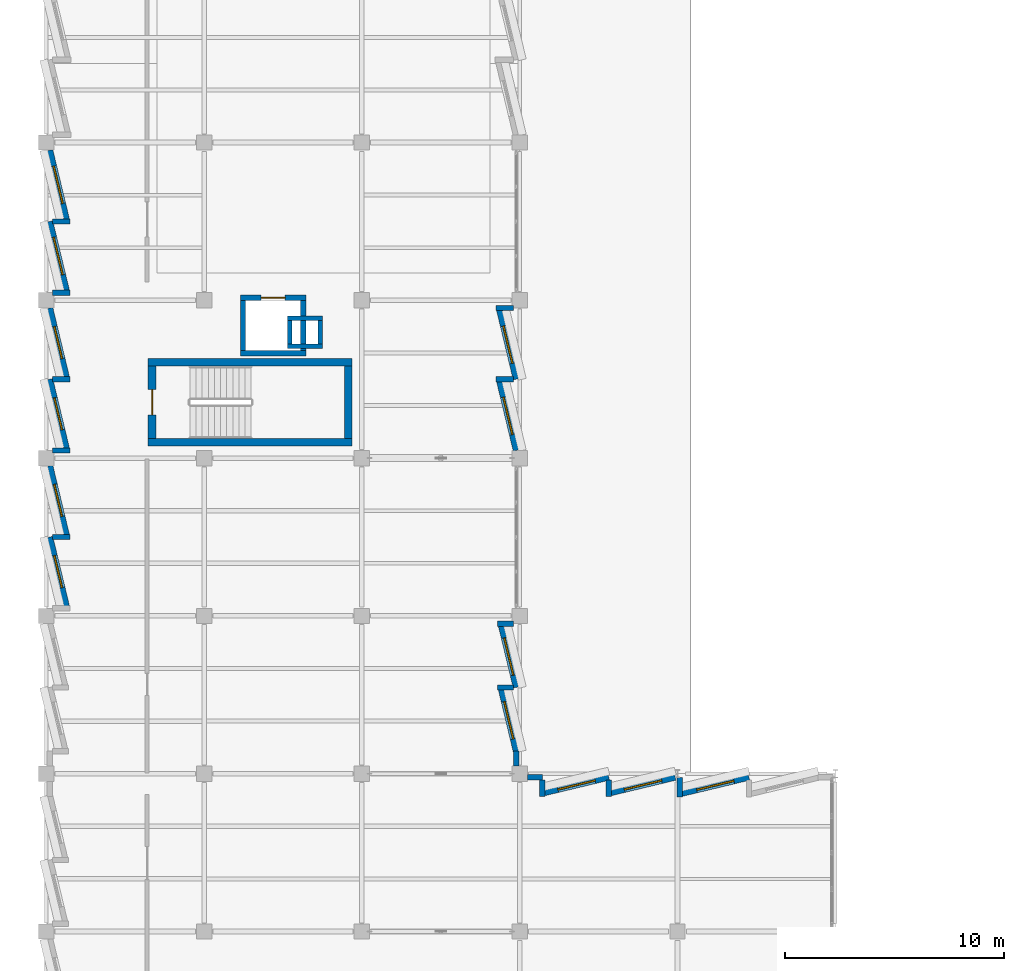
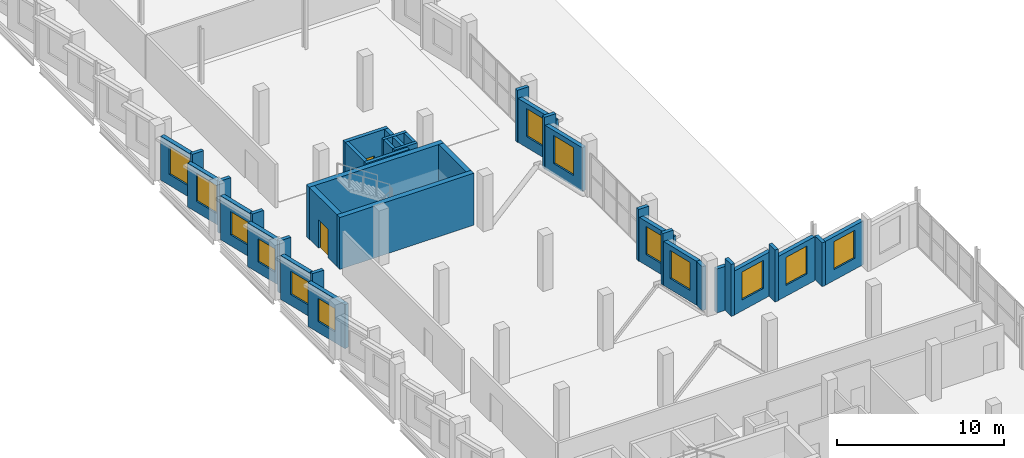
# One storey, part 31 of 38: 39 walls, 13 windows, 2 doors, 15 openings.
"""IFC4 building model written with IfcOpenShell, lengths in metres."""

from ifc_helpers import new_model, si_unit, direction, frame, frame_2d, origin, place, context, subcontext, project, spatial, rectangle, extrude, material, layer, layer_set, type_object, element, fill, save


model = new_model("IFC4")

# Units and contexts
model_context = context("Model", 3, precision=1e-05, world=origin(), true_north=direction((0.0, 1.0)))
body_context = subcontext(model_context, "Body", "Model", "MODEL_VIEW")
ifc_project = project(units=[si_unit("LENGTHUNIT", "METRE"), si_unit("AREAUNIT", "SQUARE_METRE"), si_unit("VOLUMEUNIT", "CUBIC_METRE"), si_unit("PLANEANGLEUNIT", "RADIAN"), si_unit("MASSUNIT", "GRAM", prefix="KILO")], contexts=[model_context])

# Site, building, storey
site_placement = place(None, origin())
site = spatial("IfcSite", under=ifc_project, at=site_placement, CompositionType="ELEMENT")
building_placement = place(site_placement, origin())
building = spatial("IfcBuilding", under=site, at=building_placement, Name="Kalmorath City Hall", CompositionType="ELEMENT")
storey_placement = place(building_placement, frame((0.0, 0.0, 18.89990234375)))
storey = spatial("IfcBuildingStorey", under=building, at=storey_placement, Name="L04", CompositionType="ELEMENT", Elevation=18.89990234375)

# Walls
ifc_material_1 = material(Name="Concrete C50/60", Category="concrete")
ifc_layer_1 = layer(ifc_material_1, 0.35009765625)
ifc_layer_set_1 = layer_set([ifc_layer_1], Name="Concrete C50/60")
wall_type_1 = type_object("IfcWallType", Name="Concrete core shear wall 350", PredefinedType="SHEAR", material=ifc_layer_set_1)
for number, where, z_axis, x_axis, name in (
    (1, (4.64990234375, 51.125, 0.0), (0.0, 0.0, 1.0), (1.0, 0.0, 0.0), "L04 C3 stair core shear wall S"),
    (2, (13.949951171875, 54.77490234375, 0.0), (0.0, 0.0, 1.0), (-1.0, 0.0, 0.0), "L04 C3 stair core shear wall N"),
):
    element("IfcWall", number, at=place(storey_placement, frame(where, z_axis=z_axis, x_axis=x_axis)), inside=storey, type_object=wall_type_1, Name=name, PredefinedType="SHEAR", context=body_context, shape_type="SweptSolid", body=[
        extrude(rectangle(XDim=9.300048828125, YDim=0.35009765625, at=frame_2d((4.64990234375, 0.0))), origin(), (0.0, 0.0, 1.0), 3.800048828125),
    ])

# Wall, opening, door
wall_1_placement = place(storey_placement, frame((4.824951171875, 54.60009765625, 0.0), z_axis=(0.0, 0.0, 1.0), x_axis=(0.0, -1.0, 0.0)))
wall_1 = element("IfcWall", 3, at=wall_1_placement, inside=storey, type_object=wall_type_1, Name="L04 C3 stair core shear wall W", PredefinedType="SHEAR", context=body_context, shape_type="SweptSolid", body=[
    extrude(rectangle(XDim=3.300048828125, YDim=0.35009765625, at=frame_2d((1.64990234375, 0.0))), origin(), (0.0, 0.0, 1.0), 3.800048828125),
])
opening_1_placement = place(wall_1_placement, frame((1.074951171875, 0.0, 0.0)))
opening_1 = element("IfcOpeningElement", 4, at=opening_1_placement, cuts=wall_1, Name="Opening D-L04-069", PredefinedType="OPENING", context=body_context, shape_type="SweptSolid", body=[
    extrude(rectangle(XDim=1.14990234375, YDim=2.10009765625, at=frame_2d((0.574951171875, 1.050048828125))), frame((0.0, 0.18505859375, 0.0), z_axis=(0.0, -1.0, 0.0), x_axis=(1.0, 0.0, 0.0)), (0.0, 0.0, 1.0), 0.3701171875),
])
ifc_material_2 = material(Name="Galvanised steel fire door", Category="steel")
door_type_1 = type_object("IfcDoorType", Name="Stair enclosure 90-min fire door 1150x2100", OperationType="NOTDEFINED", PredefinedType="DOOR", material=ifc_material_2)
door_1_placement = place(opening_1_placement, frame((1.14990234375, 0.0, 0.0), z_axis=(0.0, 0.0, 1.0), x_axis=(-1.0, 0.0, 0.0)))
door_1 = element("IfcDoor", 5, at=door_1_placement, inside=storey, type_object=door_type_1, Name="L04 door D-L04-069", OperationType="SINGLE_SWING_LEFT", OverallHeight=2.10009765625, OverallWidth=1.14990234375, PredefinedType="DOOR", context=body_context, shape_type="SweptSolid", body=[
    extrude(rectangle(XDim=1.14990234375, YDim=2.10009765625, at=frame_2d((0.574951171875, 1.050048828125))), frame((0.0, 0.02490234375, 0.0), z_axis=(0.0, -1.0, 0.0), x_axis=(1.0, 0.0, 0.0)), (0.0, 0.0, 1.0), 0.050048828125),
])
fill(opening_1, door_1)

# Walls
wall_2_placement = place(storey_placement, frame((13.77490234375, 51.300048828125, 0.0), z_axis=(0.0, 0.0, 1.0), x_axis=(0.0, 1.0, 0.0)))
element("IfcWall", 6, at=wall_2_placement, inside=storey, type_object=wall_type_1, Name="L04 C3 stair core shear wall E", PredefinedType="SHEAR", context=body_context, shape_type="SweptSolid", body=[
    extrude(rectangle(XDim=3.300048828125, YDim=0.35009765625, at=frame_2d((1.64990234375, 0.0))), origin(), (0.0, 0.0, 1.0), 3.800048828125),
])
ifc_material_3 = material(Name="Concrete C50/60", Category="concrete")
ifc_layer_2 = layer(ifc_material_3, 0.25)
ifc_layer_set_2 = layer_set([ifc_layer_2], Name="Concrete C50/60")
wall_type_2 = type_object("IfcWallType", Name="Concrete lift shaft wall 250", PredefinedType="SHEAR", material=ifc_layer_set_2)
wall_3_placement = place(storey_placement, frame((8.85009765625, 55.175048828125, 0.0), z_axis=(0.0, 0.0, 1.0), x_axis=(1.0, 0.0, 0.0)))
element("IfcWall", 7, at=wall_3_placement, inside=storey, type_object=wall_type_2, Name="L04 PL4 lift shaft wall -y", PredefinedType="SHEAR", context=body_context, shape_type="SweptSolid", body=[
    extrude(rectangle(XDim=3.0, YDim=0.25, at=frame_2d((1.5, 0.0))), origin(), (0.0, 0.0, 1.0), 3.800048828125),
])

# Wall, opening, door
wall_4_placement = place(storey_placement, frame((11.85009765625, 57.72509765625, 0.0), z_axis=(0.0, 0.0, 1.0), x_axis=(-1.0, 0.0, 0.0)))
wall_4 = element("IfcWall", 8, at=wall_4_placement, inside=storey, type_object=wall_type_2, Name="L04 PL4 lift shaft wall +y", PredefinedType="SHEAR", context=body_context, shape_type="SweptSolid", body=[
    extrude(rectangle(XDim=3.0, YDim=0.25, at=frame_2d((1.5, 0.0))), origin(), (0.0, 0.0, 1.0), 3.800048828125),
])
opening_2_placement = place(wall_4_placement, frame((0.949951171875, 0.0, 0.0)))
opening_2 = element("IfcOpeningElement", 9, at=opening_2_placement, cuts=wall_4, Name="Opening LD-077", PredefinedType="OPENING", context=body_context, shape_type="SweptSolid", body=[
    extrude(rectangle(XDim=1.10009765625, YDim=2.10009765625, at=frame_2d((0.550048828125, 1.050048828125))), frame((0.0, 0.135009765625, 0.0), z_axis=(0.0, -1.0, 0.0), x_axis=(1.0, 0.0, 0.0)), (0.0, 0.0, 1.0), 0.27001953125),
])
ifc_material_4 = material(Name="Stainless steel sliding landing door", Category="steel")
door_type_2 = type_object("IfcDoorType", Name="Passenger lift sliding landing door 1100x2100", OperationType="SLIDING_TO_LEFT", PredefinedType="DOOR", material=ifc_material_4)
door_2_placement = place(opening_2_placement, origin())
door_2 = element("IfcDoor", 10, at=door_2_placement, inside=storey, type_object=door_type_2, Name="L04 door LD-077", OperationType="SLIDING_TO_LEFT", OverallHeight=2.10009765625, OverallWidth=1.10009765625, PredefinedType="DOOR", context=body_context, shape_type="SweptSolid", body=[
    extrude(rectangle(XDim=1.10009765625, YDim=2.10009765625, at=frame_2d((0.550048828125, 1.050048828125))), frame((0.0, 0.02490234375, 0.0), z_axis=(0.0, -1.0, 0.0), x_axis=(1.0, 0.0, 0.0)), (0.0, 0.0, 1.0), 0.050048828125),
])
fill(opening_2, door_2)

# Walls
for number, where, z_axis, x_axis, name in (
    (11, (8.97509765625, 57.60009765625, 0.0), (0.0, 0.0, 1.0), (0.0, -1.0, 0.0), "L04 PL4 lift shaft wall -x"),
    (12, (11.72509765625, 55.300048828125, 0.0), (0.0, 0.0, 1.0), (0.0, 1.0, 0.0), "L04 PL4 lift shaft wall +x"),
):
    element("IfcWall", number, at=place(storey_placement, frame(where, z_axis=z_axis, x_axis=x_axis)), inside=storey, type_object=wall_type_2, Name=name, PredefinedType="SHEAR", context=body_context, shape_type="SweptSolid", body=[
        extrude(rectangle(XDim=2.300048828125, YDim=0.25, at=frame_2d((1.14990234375, 0.0))), origin(), (0.0, 0.0, 1.0), 3.800048828125),
    ])
ifc_material_5 = material(Name="Concrete C40/50", Category="concrete")
ifc_layer_3 = layer(ifc_material_5, 0.199951171875)
ifc_layer_set_3 = layer_set([ifc_layer_3], Name="Concrete C40/50")
wall_type_3 = type_object("IfcWallType", Name="Concrete service riser wall 200", PredefinedType="SOLIDWALL", material=ifc_layer_set_3)
for number, where, z_axis, x_axis, name in (
    (13, (11.0, 55.5, 0.0), (0.0, 0.0, 1.0), (1.0, 0.0, 0.0), "L04 RSR-2 riser shaft wall S"),
    (14, (12.60009765625, 56.780029296875, 0.0), (0.0, 0.0, 1.0), (-1.0, 0.0, 0.0), "L04 RSR-2 riser shaft wall N"),
):
    element("IfcWall", number, at=place(storey_placement, frame(where, z_axis=z_axis, x_axis=x_axis)), inside=storey, type_object=wall_type_3, Name=name, PredefinedType="SOLIDWALL", context=body_context, shape_type="SweptSolid", body=[
        extrude(rectangle(XDim=1.60009765625, YDim=0.199951171875, at=frame_2d((0.800048828125, 0.0))), origin(), (0.0, 0.0, 1.0), 3.800048828125),
    ])
for number, where, z_axis, x_axis, name in (
    (15, (11.10009765625, 56.679931640625, 0.0), (0.0, 0.0, 1.0), (0.0, -1.0, 0.0), "L04 RSR-2 riser shaft wall W"),
    (16, (12.5, 55.60009765625, 0.0), (0.0, 0.0, 1.0), (0.0, 1.0, 0.0), "L04 RSR-2 riser shaft wall E"),
):
    element("IfcWall", number, at=place(storey_placement, frame(where, z_axis=z_axis, x_axis=x_axis)), inside=storey, type_object=wall_type_3, Name=name, PredefinedType="SOLIDWALL", context=body_context, shape_type="SweptSolid", body=[
        extrude(rectangle(XDim=1.079833984375, YDim=0.199951171875, at=frame_2d((0.5400390625, 0.0))), origin(), (0.0, 0.0, 1.0), 3.800048828125),
    ])
ifc_material_6 = material(Name="Precast concrete C40/50", Category="concrete")
ifc_layer_4 = layer(ifc_material_6, 0.239990234375)
ifc_layer_set_4 = layer_set([ifc_layer_4], Name="Precast concrete C40/50")
wall_type_4 = type_object("IfcWallType", Name="Precast sawtooth cheek wall 240", PredefinedType="SOLIDWALL", material=ifc_layer_set_4)
for number, where, z_axis, x_axis, name in (
    (17, (1.0849609375, 46.800048828125, 0.0), (0.0, 0.0, 1.0), (-1.0, 0.0, 0.0), "L04 sawtooth return cheek #773"),
    (18, (1.0849609375, 50.7509765625, 0.0), (0.0, 0.0, 1.0), (-1.0, 0.0, 0.0), "L04 sawtooth return cheek #775"),
    (19, (1.0849609375, 54.0, 0.0), (0.0, 0.0, 1.0), (-1.0, 0.0, 0.0), "L04 sawtooth return cheek #777"),
    (20, (1.0849609375, 57.950927734375, 0.0), (0.0, 0.0, 1.0), (-1.0, 0.0, 0.0), "L04 sawtooth return cheek #779"),
    (21, (1.0849609375, 61.199951171875, 0.0), (0.0, 0.0, 1.0), (-1.0, 0.0, 0.0), "L04 sawtooth return cheek #781"),
):
    element("IfcWall", number, at=place(storey_placement, frame(where, z_axis=z_axis, x_axis=x_axis)), inside=storey, type_object=wall_type_4, Name=name, PredefinedType="SOLIDWALL", context=body_context, shape_type="SweptSolid", body=[
        extrude(rectangle(XDim=0.79296875, YDim=0.239990234375, at=frame_2d((0.396484375, 0.0))), origin(), (0.0, 0.0, 1.0), 3.800048828125),
    ])
for number, where, z_axis, x_axis, name in (
    (22, (20.514892578125, 57.2490234375, 0.0), (0.0, 0.0, 1.0), (1.0, 0.0, 0.0), "L04 sawtooth return cheek #828"),
    (23, (20.514892578125, 54.0, 0.0), (0.0, 0.0, 1.0), (1.0, 0.0, 0.0), "L04 sawtooth return cheek #830"),
):
    element("IfcWall", number, at=place(storey_placement, frame(where, z_axis=z_axis, x_axis=x_axis)), inside=storey, type_object=wall_type_4, Name=name, PredefinedType="SOLIDWALL", context=body_context, shape_type="SweptSolid", body=[
        extrude(rectangle(XDim=0.793212890625, YDim=0.239990234375, at=frame_2d((0.396484375, 0.0))), origin(), (0.0, 0.0, 1.0), 3.800048828125),
    ])
for number, where, z_axis, x_axis, name in (
    (24, (20.5966796875, 42.84912109375, 0.0), (0.0, 0.0, 1.0), (1.0, 0.0, 0.0), "L04 sawtooth return cheek #833"),
    (25, (20.5966796875, 39.93994140625, 0.0), (0.0, 0.0, 1.0), (1.0, 0.0, 0.0), "L04 sawtooth return cheek #835"),
):
    element("IfcWall", number, at=place(storey_placement, frame(where, z_axis=z_axis, x_axis=x_axis)), inside=storey, type_object=wall_type_4, Name=name, PredefinedType="SOLIDWALL", context=body_context, shape_type="SweptSolid", body=[
        extrude(rectangle(XDim=0.71142578125, YDim=0.239990234375, at=frame_2d((0.355712890625, 0.0))), origin(), (0.0, 0.0, 1.0), 3.800048828125),
    ])
wall_5_placement = place(storey_placement, frame((22.631103515625, 34.966796875, 0.0), z_axis=(0.0, 0.0, 1.0), x_axis=(0.0, 1.0, 0.0)))
element("IfcWall", 26, at=wall_5_placement, inside=storey, type_object=wall_type_4, Name="L04 sawtooth return cheek #838", PredefinedType="SOLIDWALL", context=body_context, shape_type="SweptSolid", body=[
    extrude(rectangle(XDim=0.751220703125, YDim=0.239990234375, at=frame_2d((0.37548828125, 0.0))), origin(), (0.0, 0.0, 1.0), 3.800048828125),
])
wall_6_placement = place(storey_placement, frame((25.6640625, 34.966796875, 0.0), z_axis=(0.0, 0.0, 1.0), x_axis=(0.0, 1.0, 0.0)))
element("IfcWall", 27, at=wall_6_placement, inside=storey, type_object=wall_type_4, Name="L04 sawtooth return cheek #840", PredefinedType="SOLIDWALL", context=body_context, shape_type="SweptSolid", body=[
    extrude(rectangle(XDim=0.7412109375, YDim=0.239990234375, at=frame_2d((0.37060546875, 0.0))), origin(), (0.0, 0.0, 1.0), 3.800048828125),
])
wall_7_placement = place(storey_placement, frame((28.903076171875, 34.93701171875, 0.0), z_axis=(0.0, 0.0, 1.0), x_axis=(0.0, 1.0, 0.0)))
element("IfcWall", 28, at=wall_7_placement, inside=storey, type_object=wall_type_4, Name="L04 sawtooth return cheek #843", PredefinedType="SOLIDWALL", context=body_context, shape_type="SweptSolid", body=[
    extrude(rectangle(XDim=0.885986328125, YDim=0.239990234375, at=frame_2d((0.44287109375, 0.0))), origin(), (0.0, 0.0, 1.0), 3.2060546875),
])

# Wall, opening, window
ifc_material_7 = material(Name="Precast concrete C40/50", Category="concrete")
ifc_layer_5 = layer(ifc_material_7, 0.280029296875)
ifc_layer_set_5 = layer_set([ifc_layer_5], Name="Precast concrete C40/50")
wall_type_5 = type_object("IfcWallType", Name="Precast sawtooth facade wall 280", PredefinedType="SOLIDWALL", material=ifc_layer_set_5)
wall_8_placement = place(storey_placement, frame((0.917724609375, 43.643310546875, 0.0), z_axis=(0.0, 0.0, 1.0), x_axis=(-0.233429837788, 0.972373647746, 0.0)))
wall_8 = element("IfcWall", 29, at=wall_8_placement, inside=storey, type_object=wall_type_5, Name="L04 sawtooth precast frame #770", PredefinedType="SOLIDWALL", context=body_context, shape_type="SweptSolid", body=[
    extrude(rectangle(XDim=3.246337890625, YDim=0.280029296875, at=frame_2d((1.623046875, 0.0))), origin(), (0.0, 0.0, 1.0), 3.216064453125),
])
opening_3_placement = place(wall_8_placement, frame((0.873291015625, 0.0, 0.800048828125)))
opening_3 = element("IfcOpeningElement", 30, at=opening_3_placement, cuts=wall_8, Name="Opening WN7", PredefinedType="OPENING", context=body_context, shape_type="SweptSolid", body=[
    extrude(rectangle(XDim=1.5, YDim=1.699951171875, at=frame_2d((0.75, 0.85009765625))), frame((0.0, 0.14990234375, 0.0), z_axis=(0.0, -1.0, 0.0), x_axis=(1.0, 0.0, 0.0)), (0.0, 0.0, 1.0), 0.300048828125),
])
ifc_material_8 = material(Name="Aluminium and laminated glass", Category="aluminium")
window_type_1 = type_object("IfcWindowType", Name="Sawtooth top storey window 1500x1700", PartitioningType="SINGLE_PANEL", PredefinedType="WINDOW", material=ifc_material_8)
window_1_placement = place(opening_3_placement, origin())
window_1 = element("IfcWindow", 31, at=window_1_placement, inside=storey, type_object=window_type_1, Name="L04 window WN7-404", OverallHeight=1.699951171875, OverallWidth=1.5, PartitioningType="SINGLE_PANEL", PredefinedType="WINDOW", context=body_context, shape_type="SweptSolid", body=[
    extrude(rectangle(XDim=1.5, YDim=1.699951171875, at=frame_2d((0.75, 0.85009765625))), frame((0.0, 0.030029296875, 0.0), z_axis=(0.0, -1.0, 0.0), x_axis=(1.0, 0.0, 0.0)), (0.0, 0.0, 1.0), 0.06005859375),
])
fill(opening_3, window_1)

wall_9_placement = place(storey_placement, frame((0.917724609375, 46.892333984375, 0.0), z_axis=(0.0, 0.0, 1.0), x_axis=(-0.233429837788, 0.972373647746, 0.0)))
wall_9 = element("IfcWall", 32, at=wall_9_placement, inside=storey, type_object=wall_type_5, Name="L04 sawtooth precast frame #772", PredefinedType="SOLIDWALL", context=body_context, shape_type="SweptSolid", body=[
    extrude(rectangle(XDim=3.246337890625, YDim=0.280029296875, at=frame_2d((1.623046875, 0.0))), origin(), (0.0, 0.0, 1.0), 3.216064453125),
])
opening_4_placement = place(wall_9_placement, frame((0.873291015625, 0.0, 0.800048828125)))
opening_4 = element("IfcOpeningElement", 33, at=opening_4_placement, cuts=wall_9, Name="Opening WN7", PredefinedType="OPENING", context=body_context, shape_type="SweptSolid", body=[
    extrude(rectangle(XDim=1.5, YDim=1.699951171875, at=frame_2d((0.75, 0.85009765625))), frame((0.0, 0.14990234375, 0.0), z_axis=(0.0, -1.0, 0.0), x_axis=(1.0, 0.0, 0.0)), (0.0, 0.0, 1.0), 0.300048828125),
])
window_2_placement = place(opening_4_placement, origin())
window_2 = element("IfcWindow", 34, at=window_2_placement, inside=storey, type_object=window_type_1, Name="L04 window WN7-405", OverallHeight=1.699951171875, OverallWidth=1.5, PartitioningType="SINGLE_PANEL", PredefinedType="WINDOW", context=body_context, shape_type="SweptSolid", body=[
    extrude(rectangle(XDim=1.5, YDim=1.699951171875, at=frame_2d((0.75, 0.85009765625))), frame((0.0, 0.030029296875, 0.0), z_axis=(0.0, -1.0, 0.0), x_axis=(1.0, 0.0, 0.0)), (0.0, 0.0, 1.0), 0.06005859375),
])
fill(opening_4, window_2)

wall_10_placement = place(storey_placement, frame((0.917724609375, 50.843505859375, 0.0), z_axis=(0.0, 0.0, 1.0), x_axis=(-0.233446908634, 0.972369549528, 0.0)))
wall_10 = element("IfcWall", 35, at=wall_10_placement, inside=storey, type_object=wall_type_5, Name="L04 sawtooth precast frame #774", PredefinedType="SOLIDWALL", context=body_context, shape_type="SweptSolid", body=[
    extrude(rectangle(XDim=3.24609375, YDim=0.280029296875, at=frame_2d((1.623046875, 0.0))), origin(), (0.0, 0.0, 1.0), 3.216064453125),
])
opening_5_placement = place(wall_10_placement, frame((0.873291015625, 0.0, 0.800048828125)))
opening_5 = element("IfcOpeningElement", 36, at=opening_5_placement, cuts=wall_10, Name="Opening WN7", PredefinedType="OPENING", context=body_context, shape_type="SweptSolid", body=[
    extrude(rectangle(XDim=1.5, YDim=1.699951171875, at=frame_2d((0.75, 0.85009765625))), frame((0.0, 0.14990234375, 0.0), z_axis=(0.0, -1.0, 0.0), x_axis=(1.0, 0.0, 0.0)), (0.0, 0.0, 1.0), 0.300048828125),
])
window_3_placement = place(opening_5_placement, origin())
window_3 = element("IfcWindow", 37, at=window_3_placement, inside=storey, type_object=window_type_1, Name="L04 window WN7-406", OverallHeight=1.699951171875, OverallWidth=1.5, PartitioningType="SINGLE_PANEL", PredefinedType="WINDOW", context=body_context, shape_type="SweptSolid", body=[
    extrude(rectangle(XDim=1.5, YDim=1.699951171875, at=frame_2d((0.75, 0.85009765625))), frame((0.0, 0.030029296875, 0.0), z_axis=(0.0, -1.0, 0.0), x_axis=(1.0, 0.0, 0.0)), (0.0, 0.0, 1.0), 0.06005859375),
])
fill(opening_5, window_3)

wall_11_placement = place(storey_placement, frame((0.917724609375, 54.09228515625, 0.0), z_axis=(0.0, 0.0, 1.0), x_axis=(-0.233429837788, 0.972373647746, 0.0)))
wall_11 = element("IfcWall", 38, at=wall_11_placement, inside=storey, type_object=wall_type_5, Name="L04 sawtooth precast frame #776", PredefinedType="SOLIDWALL", context=body_context, shape_type="SweptSolid", body=[
    extrude(rectangle(XDim=3.246337890625, YDim=0.280029296875, at=frame_2d((1.623046875, 0.0))), origin(), (0.0, 0.0, 1.0), 3.216064453125),
])
opening_6_placement = place(wall_11_placement, frame((0.873291015625, 0.0, 0.800048828125)))
opening_6 = element("IfcOpeningElement", 39, at=opening_6_placement, cuts=wall_11, Name="Opening WN7", PredefinedType="OPENING", context=body_context, shape_type="SweptSolid", body=[
    extrude(rectangle(XDim=1.5, YDim=1.699951171875, at=frame_2d((0.75, 0.85009765625))), frame((0.0, 0.14990234375, 0.0), z_axis=(0.0, -1.0, 0.0), x_axis=(1.0, 0.0, 0.0)), (0.0, 0.0, 1.0), 0.300048828125),
])
window_4_placement = place(opening_6_placement, origin())
window_4 = element("IfcWindow", 40, at=window_4_placement, inside=storey, type_object=window_type_1, Name="L04 window WN7-407", OverallHeight=1.699951171875, OverallWidth=1.5, PartitioningType="SINGLE_PANEL", PredefinedType="WINDOW", context=body_context, shape_type="SweptSolid", body=[
    extrude(rectangle(XDim=1.5, YDim=1.699951171875, at=frame_2d((0.75, 0.85009765625))), frame((0.0, 0.030029296875, 0.0), z_axis=(0.0, -1.0, 0.0), x_axis=(1.0, 0.0, 0.0)), (0.0, 0.0, 1.0), 0.06005859375),
])
fill(opening_6, window_4)

wall_12_placement = place(storey_placement, frame((0.917724609375, 58.04345703125, 0.0), z_axis=(0.0, 0.0, 1.0), x_axis=(-0.233446908634, 0.972369549528, 0.0)))
wall_12 = element("IfcWall", 41, at=wall_12_placement, inside=storey, type_object=wall_type_5, Name="L04 sawtooth precast frame #778", PredefinedType="SOLIDWALL", context=body_context, shape_type="SweptSolid", body=[
    extrude(rectangle(XDim=3.24609375, YDim=0.280029296875, at=frame_2d((1.623046875, 0.0))), origin(), (0.0, 0.0, 1.0), 3.216064453125),
])
opening_7_placement = place(wall_12_placement, frame((0.748291015625, 0.0, 0.800048828125)))
opening_7 = element("IfcOpeningElement", 42, at=opening_7_placement, cuts=wall_12, Name="Opening WN1", PredefinedType="OPENING", context=body_context, shape_type="SweptSolid", body=[
    extrude(rectangle(XDim=1.75, YDim=2.050048828125, at=frame_2d((0.875, 1.02490234375))), frame((0.0, 0.14990234375, 0.0), z_axis=(0.0, -1.0, 0.0), x_axis=(1.0, 0.0, 0.0)), (0.0, 0.0, 1.0), 0.300048828125),
])
ifc_material_9 = material(Name="Aluminium and laminated glass", Category="aluminium")
window_type_2 = type_object("IfcWindowType", Name="Sawtooth hurricane window 1750x2050", PartitioningType="SINGLE_PANEL", PredefinedType="WINDOW", material=ifc_material_9)
window_5_placement = place(opening_7_placement, origin())
window_5 = element("IfcWindow", 43, at=window_5_placement, inside=storey, type_object=window_type_2, Name="L04 window WN1-408", OverallHeight=2.050048828125, OverallWidth=1.75, PartitioningType="SINGLE_PANEL", PredefinedType="WINDOW", context=body_context, shape_type="SweptSolid", body=[
    extrude(rectangle(XDim=1.75, YDim=2.050048828125, at=frame_2d((0.875, 1.02490234375))), frame((0.0, 0.030029296875, 0.0), z_axis=(0.0, -1.0, 0.0), x_axis=(1.0, 0.0, 0.0)), (0.0, 0.0, 1.0), 0.06005859375),
])
fill(opening_7, window_5)

wall_13_placement = place(storey_placement, frame((0.917724609375, 61.29248046875, 0.0), z_axis=(0.0, 0.0, 1.0), x_axis=(-0.233446908634, 0.972369549528, 0.0)))
wall_13 = element("IfcWall", 44, at=wall_13_placement, inside=storey, type_object=wall_type_5, Name="L04 sawtooth precast frame #780", PredefinedType="SOLIDWALL", context=body_context, shape_type="SweptSolid", body=[
    extrude(rectangle(XDim=3.24609375, YDim=0.280029296875, at=frame_2d((1.623046875, 0.0))), origin(), (0.0, 0.0, 1.0), 3.216064453125),
])
opening_8_placement = place(wall_13_placement, frame((0.748291015625, 0.0, 0.800048828125)))
opening_8 = element("IfcOpeningElement", 45, at=opening_8_placement, cuts=wall_13, Name="Opening WN1", PredefinedType="OPENING", context=body_context, shape_type="SweptSolid", body=[
    extrude(rectangle(XDim=1.75, YDim=2.050048828125, at=frame_2d((0.875, 1.02490234375))), frame((0.0, 0.14990234375, 0.0), z_axis=(0.0, -1.0, 0.0), x_axis=(1.0, 0.0, 0.0)), (0.0, 0.0, 1.0), 0.300048828125),
])
window_6_placement = place(opening_8_placement, origin())
window_6 = element("IfcWindow", 46, at=window_6_placement, inside=storey, type_object=window_type_2, Name="L04 window WN1-409", OverallHeight=2.050048828125, OverallWidth=1.75, PartitioningType="SINGLE_PANEL", PredefinedType="WINDOW", context=body_context, shape_type="SweptSolid", body=[
    extrude(rectangle(XDim=1.75, YDim=2.050048828125, at=frame_2d((0.875, 1.02490234375))), frame((0.0, 0.030029296875, 0.0), z_axis=(0.0, -1.0, 0.0), x_axis=(1.0, 0.0, 0.0)), (0.0, 0.0, 1.0), 0.06005859375),
])
fill(opening_8, window_6)

wall_14_placement = place(storey_placement, frame((20.68212890625, 57.156494140625, 0.0), z_axis=(0.0, 0.0, 1.0), x_axis=(0.233446908634, -0.972369549528, 0.0)))
wall_14 = element("IfcWall", 47, at=wall_14_placement, inside=storey, type_object=wall_type_5, Name="L04 sawtooth precast frame #827", PredefinedType="SOLIDWALL", context=body_context, shape_type="SweptSolid", body=[
    extrude(rectangle(XDim=3.24609375, YDim=0.280029296875, at=frame_2d((1.623046875, 0.0))), origin(), (0.0, 0.0, 1.0), 3.216064453125),
])
opening_9_placement = place(wall_14_placement, frame((0.748291015625, 0.0, 0.800048828125)))
opening_9 = element("IfcOpeningElement", 48, at=opening_9_placement, cuts=wall_14, Name="Opening WN1", PredefinedType="OPENING", context=body_context, shape_type="SweptSolid", body=[
    extrude(rectangle(XDim=1.75, YDim=2.050048828125, at=frame_2d((0.875, 1.02490234375))), frame((0.0, 0.14990234375, 0.0), z_axis=(0.0, -1.0, 0.0), x_axis=(1.0, 0.0, 0.0)), (0.0, 0.0, 1.0), 0.300048828125),
])
window_7_placement = place(opening_9_placement, origin())
window_7 = element("IfcWindow", 49, at=window_7_placement, inside=storey, type_object=window_type_2, Name="L04 window WN1-432", OverallHeight=2.050048828125, OverallWidth=1.75, PartitioningType="SINGLE_PANEL", PredefinedType="WINDOW", context=body_context, shape_type="SweptSolid", body=[
    extrude(rectangle(XDim=1.75, YDim=2.050048828125, at=frame_2d((0.875, 1.02490234375))), frame((0.0, 0.030029296875, 0.0), z_axis=(0.0, -1.0, 0.0), x_axis=(1.0, 0.0, 0.0)), (0.0, 0.0, 1.0), 0.06005859375),
])
fill(opening_9, window_7)

wall_15_placement = place(storey_placement, frame((20.68212890625, 53.90771484375, 0.0), z_axis=(0.0, 0.0, 1.0), x_axis=(0.233429837788, -0.972373647746, 0.0)))
wall_15 = element("IfcWall", 50, at=wall_15_placement, inside=storey, type_object=wall_type_5, Name="L04 sawtooth precast frame #829", PredefinedType="SOLIDWALL", context=body_context, shape_type="SweptSolid", body=[
    extrude(rectangle(XDim=3.246337890625, YDim=0.280029296875, at=frame_2d((1.623046875, 0.0))), origin(), (0.0, 0.0, 1.0), 3.216064453125),
])
opening_10_placement = place(wall_15_placement, frame((0.748291015625, 0.0, 0.800048828125)))
opening_10 = element("IfcOpeningElement", 51, at=opening_10_placement, cuts=wall_15, Name="Opening WN1", PredefinedType="OPENING", context=body_context, shape_type="SweptSolid", body=[
    extrude(rectangle(XDim=1.75, YDim=2.050048828125, at=frame_2d((0.875, 1.02490234375))), frame((0.0, 0.14990234375, 0.0), z_axis=(0.0, -1.0, 0.0), x_axis=(1.0, 0.0, 0.0)), (0.0, 0.0, 1.0), 0.300048828125),
])
window_8_placement = place(opening_10_placement, origin())
window_8 = element("IfcWindow", 52, at=window_8_placement, inside=storey, type_object=window_type_2, Name="L04 window WN1-433", OverallHeight=2.050048828125, OverallWidth=1.75, PartitioningType="SINGLE_PANEL", PredefinedType="WINDOW", context=body_context, shape_type="SweptSolid", body=[
    extrude(rectangle(XDim=1.75, YDim=2.050048828125, at=frame_2d((0.875, 1.02490234375))), frame((0.0, 0.030029296875, 0.0), z_axis=(0.0, -1.0, 0.0), x_axis=(1.0, 0.0, 0.0)), (0.0, 0.0, 1.0), 0.06005859375),
])
fill(opening_10, window_8)

wall_16_placement = place(storey_placement, frame((20.763916015625, 42.756591796875, 0.0), z_axis=(0.0, 0.0, 1.0), x_axis=(0.233382515706, -0.972385006755, 0.0)))
wall_16 = element("IfcWall", 53, at=wall_16_placement, inside=storey, type_object=wall_type_5, Name="L04 sawtooth precast frame #832", PredefinedType="SOLIDWALL", context=body_context, shape_type="SweptSolid", body=[
    extrude(rectangle(XDim=2.896728515625, YDim=0.280029296875, at=frame_2d((1.4482421875, 0.0))), origin(), (0.0, 0.0, 1.0), 3.216064453125),
])
opening_11_placement = place(wall_16_placement, frame((0.5732421875, 0.0, 0.800048828125)))
opening_11 = element("IfcOpeningElement", 54, at=opening_11_placement, cuts=wall_16, Name="Opening WN1", PredefinedType="OPENING", context=body_context, shape_type="SweptSolid", body=[
    extrude(rectangle(XDim=1.75, YDim=2.050048828125, at=frame_2d((0.875, 1.02490234375))), frame((0.0, 0.14990234375, 0.0), z_axis=(0.0, -1.0, 0.0), x_axis=(1.0, 0.0, 0.0)), (0.0, 0.0, 1.0), 0.300048828125),
])
window_9_placement = place(opening_11_placement, origin())
window_9 = element("IfcWindow", 55, at=window_9_placement, inside=storey, type_object=window_type_2, Name="L04 window WN1-434", OverallHeight=2.050048828125, OverallWidth=1.75, PartitioningType="SINGLE_PANEL", PredefinedType="WINDOW", context=body_context, shape_type="SweptSolid", body=[
    extrude(rectangle(XDim=1.75, YDim=2.050048828125, at=frame_2d((0.875, 1.02490234375))), frame((0.0, 0.030029296875, 0.0), z_axis=(0.0, -1.0, 0.0), x_axis=(1.0, 0.0, 0.0)), (0.0, 0.0, 1.0), 0.06005859375),
])
fill(opening_11, window_9)

wall_17_placement = place(storey_placement, frame((20.763916015625, 39.84765625, 0.0), z_axis=(0.0, 0.0, 1.0), x_axis=(0.233382515706, -0.972385006755, 0.0)))
wall_17 = element("IfcWall", 56, at=wall_17_placement, inside=storey, type_object=wall_type_5, Name="L04 sawtooth precast frame #834", PredefinedType="SOLIDWALL", context=body_context, shape_type="SweptSolid", body=[
    extrude(rectangle(XDim=2.896728515625, YDim=0.280029296875, at=frame_2d((1.4482421875, 0.0))), origin(), (0.0, 0.0, 1.0), 3.216064453125),
])
opening_12_placement = place(wall_17_placement, frame((0.5732421875, 0.0, 0.800048828125)))
opening_12 = element("IfcOpeningElement", 57, at=opening_12_placement, cuts=wall_17, Name="Opening WN1", PredefinedType="OPENING", context=body_context, shape_type="SweptSolid", body=[
    extrude(rectangle(XDim=1.75, YDim=2.050048828125, at=frame_2d((0.875, 1.02490234375))), frame((0.0, 0.14990234375, 0.0), z_axis=(0.0, -1.0, 0.0), x_axis=(1.0, 0.0, 0.0)), (0.0, 0.0, 1.0), 0.300048828125),
])
window_10_placement = place(opening_12_placement, origin())
window_10 = element("IfcWindow", 58, at=window_10_placement, inside=storey, type_object=window_type_2, Name="L04 window WN1-435", OverallHeight=2.050048828125, OverallWidth=1.75, PartitioningType="SINGLE_PANEL", PredefinedType="WINDOW", context=body_context, shape_type="SweptSolid", body=[
    extrude(rectangle(XDim=1.75, YDim=2.050048828125, at=frame_2d((0.875, 1.02490234375))), frame((0.0, 0.030029296875, 0.0), z_axis=(0.0, -1.0, 0.0), x_axis=(1.0, 0.0, 0.0)), (0.0, 0.0, 1.0), 0.06005859375),
])
fill(opening_12, window_10)

wall_18_placement = place(storey_placement, frame((22.723388671875, 35.134033203125, 0.0), z_axis=(0.0, 0.0, 1.0), x_axis=(0.972365314325, 0.233464548695, 0.0)))
wall_18 = element("IfcWall", 59, at=wall_18_placement, inside=storey, type_object=wall_type_5, Name="L04 sawtooth precast frame #837", PredefinedType="SOLIDWALL", context=body_context, shape_type="SweptSolid", body=[
    extrude(rectangle(XDim=3.024169921875, YDim=0.280029296875, at=frame_2d((1.51220703125, 0.0))), origin(), (0.0, 0.0, 1.0), 3.216064453125),
])
opening_13_placement = place(wall_18_placement, frame((0.63720703125, 0.0, 0.800048828125)))
opening_13 = element("IfcOpeningElement", 60, at=opening_13_placement, cuts=wall_18, Name="Opening WN1", PredefinedType="OPENING", context=body_context, shape_type="SweptSolid", body=[
    extrude(rectangle(XDim=1.75, YDim=2.050048828125, at=frame_2d((0.875, 1.02490234375))), frame((0.0, 0.14990234375, 0.0), z_axis=(0.0, -1.0, 0.0), x_axis=(1.0, 0.0, 0.0)), (0.0, 0.0, 1.0), 0.300048828125),
])
window_11_placement = place(opening_13_placement, origin())
window_11 = element("IfcWindow", 61, at=window_11_placement, inside=storey, type_object=window_type_2, Name="L04 window WN1-436", OverallHeight=2.050048828125, OverallWidth=1.75, PartitioningType="SINGLE_PANEL", PredefinedType="WINDOW", context=body_context, shape_type="SweptSolid", body=[
    extrude(rectangle(XDim=1.75, YDim=2.050048828125, at=frame_2d((0.875, 1.02490234375))), frame((0.0, 0.030029296875, 0.0), z_axis=(0.0, -1.0, 0.0), x_axis=(1.0, 0.0, 0.0)), (0.0, 0.0, 1.0), 0.06005859375),
])
fill(opening_13, window_11)

wall_19_placement = place(storey_placement, frame((25.75634765625, 35.134033203125, 0.0), z_axis=(0.0, 0.0, 1.0), x_axis=(0.972365314325, 0.233464548695, 0.0)))
wall_19 = element("IfcWall", 62, at=wall_19_placement, inside=storey, type_object=wall_type_5, Name="L04 sawtooth precast frame #839", PredefinedType="SOLIDWALL", context=body_context, shape_type="SweptSolid", body=[
    extrude(rectangle(XDim=3.024169921875, YDim=0.280029296875, at=frame_2d((1.51220703125, 0.0))), origin(), (0.0, 0.0, 1.0), 3.216064453125),
])
opening_14_placement = place(wall_19_placement, frame((0.63720703125, 0.0, 0.800048828125)))
opening_14 = element("IfcOpeningElement", 63, at=opening_14_placement, cuts=wall_19, Name="Opening WN1", PredefinedType="OPENING", context=body_context, shape_type="SweptSolid", body=[
    extrude(rectangle(XDim=1.75, YDim=2.050048828125, at=frame_2d((0.875, 1.02490234375))), frame((0.0, 0.14990234375, 0.0), z_axis=(0.0, -1.0, 0.0), x_axis=(1.0, 0.0, 0.0)), (0.0, 0.0, 1.0), 0.300048828125),
])
window_12_placement = place(opening_14_placement, origin())
window_12 = element("IfcWindow", 64, at=window_12_placement, inside=storey, type_object=window_type_2, Name="L04 window WN1-437", OverallHeight=2.050048828125, OverallWidth=1.75, PartitioningType="SINGLE_PANEL", PredefinedType="WINDOW", context=body_context, shape_type="SweptSolid", body=[
    extrude(rectangle(XDim=1.75, YDim=2.050048828125, at=frame_2d((0.875, 1.02490234375))), frame((0.0, 0.030029296875, 0.0), z_axis=(0.0, -1.0, 0.0), x_axis=(1.0, 0.0, 0.0)), (0.0, 0.0, 1.0), 0.06005859375),
])
fill(opening_14, window_12)

wall_20_placement = place(storey_placement, frame((28.995361328125, 35.104248046875, 0.0), z_axis=(0.0, 0.0, 1.0), x_axis=(0.972364797516, 0.233466701164, 0.0)))
wall_20 = element("IfcWall", 65, at=wall_20_placement, inside=storey, type_object=wall_type_5, Name="L04 sawtooth precast frame #842", PredefinedType="SOLIDWALL", context=body_context, shape_type="SweptSolid", body=[
    extrude(rectangle(XDim=3.15185546875, YDim=0.280029296875, at=frame_2d((1.575927734375, 0.0))), origin(), (0.0, 0.0, 1.0), 3.2060546875),
])
opening_15_placement = place(wall_20_placement, frame((0.700927734375, 0.0, 0.800048828125)))
opening_15 = element("IfcOpeningElement", 66, at=opening_15_placement, cuts=wall_20, Name="Opening WN1", PredefinedType="OPENING", context=body_context, shape_type="SweptSolid", body=[
    extrude(rectangle(XDim=1.75, YDim=2.050048828125, at=frame_2d((0.875, 1.02490234375))), frame((0.0, 0.14990234375, 0.0), z_axis=(0.0, -1.0, 0.0), x_axis=(1.0, 0.0, 0.0)), (0.0, 0.0, 1.0), 0.300048828125),
])
window_13_placement = place(opening_15_placement, origin())
window_13 = element("IfcWindow", 67, at=window_13_placement, inside=storey, type_object=window_type_2, Name="L04 window WN1-438", OverallHeight=2.050048828125, OverallWidth=1.75, PartitioningType="SINGLE_PANEL", PredefinedType="WINDOW", context=body_context, shape_type="SweptSolid", body=[
    extrude(rectangle(XDim=1.75, YDim=2.050048828125, at=frame_2d((0.875, 1.02490234375))), frame((0.0, 0.030029296875, 0.0), z_axis=(0.0, -1.0, 0.0), x_axis=(1.0, 0.0, 0.0)), (0.0, 0.0, 1.0), 0.06005859375),
])
fill(opening_15, window_13)

# Walls
ifc_material_10 = material(Name="Precast concrete C40/50", Category="concrete")
ifc_layer_6 = layer(ifc_material_10, 0.260009765625)
ifc_layer_set_6 = layer_set([ifc_layer_6], Name="Precast concrete C40/50")
wall_type_6 = type_object("IfcWallType", Name="Precast sawtooth return wall 260", PredefinedType="SOLIDWALL", material=ifc_layer_set_6)
wall_21_placement = place(storey_placement, frame((21.43994140625, 37.031005859375, 0.0), z_axis=(0.0, 0.0, 1.0), x_axis=(0.0, -1.0, 0.0)))
element("IfcWall", 68, at=wall_21_placement, inside=storey, type_object=wall_type_6, Name="L04 corner pier wall #831", PredefinedType="SOLIDWALL", context=body_context, shape_type="SweptSolid", body=[
    extrude(rectangle(XDim=0.679931640625, YDim=0.260009765625, at=frame_2d((0.33984375, 0.0))), origin(), (0.0, 0.0, 1.0), 3.216064453125),
])
wall_22_placement = place(storey_placement, frame((21.950927734375, 35.840087890625, 0.0), z_axis=(0.0, 0.0, 1.0), x_axis=(1.0, 0.0, 0.0)))
element("IfcWall", 69, at=wall_22_placement, inside=storey, type_object=wall_type_6, Name="L04 corner pier wall #836", PredefinedType="SOLIDWALL", context=body_context, shape_type="SweptSolid", body=[
    extrude(rectangle(XDim=0.68017578125, YDim=0.260009765625, at=frame_2d((0.340087890625, 0.0))), origin(), (0.0, 0.0, 1.0), 3.216064453125),
])

save(model, "model.ifc")
